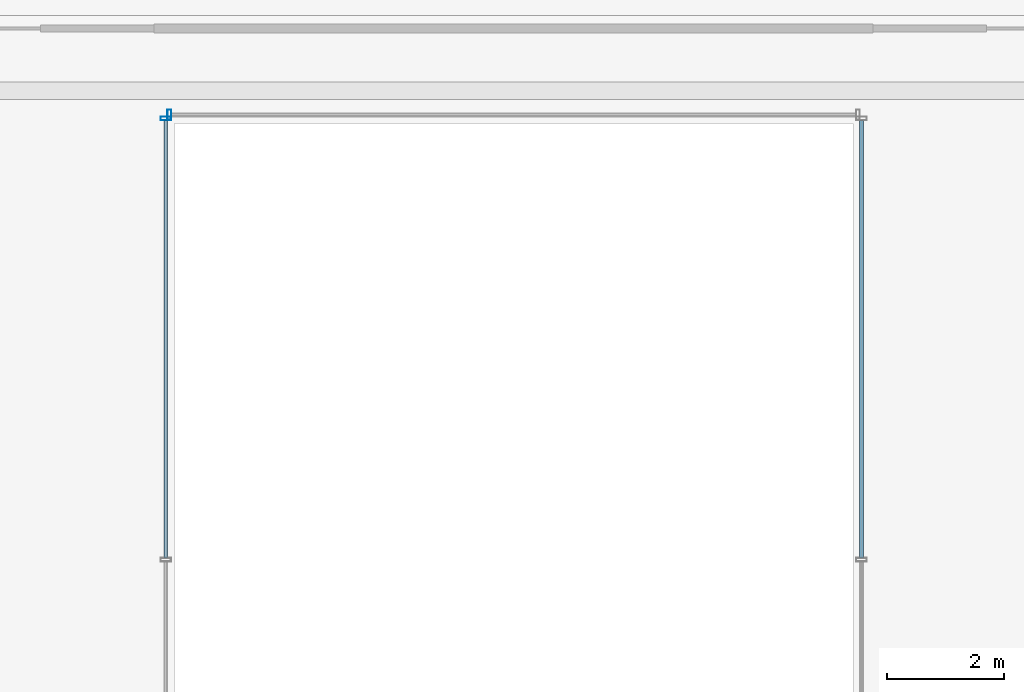
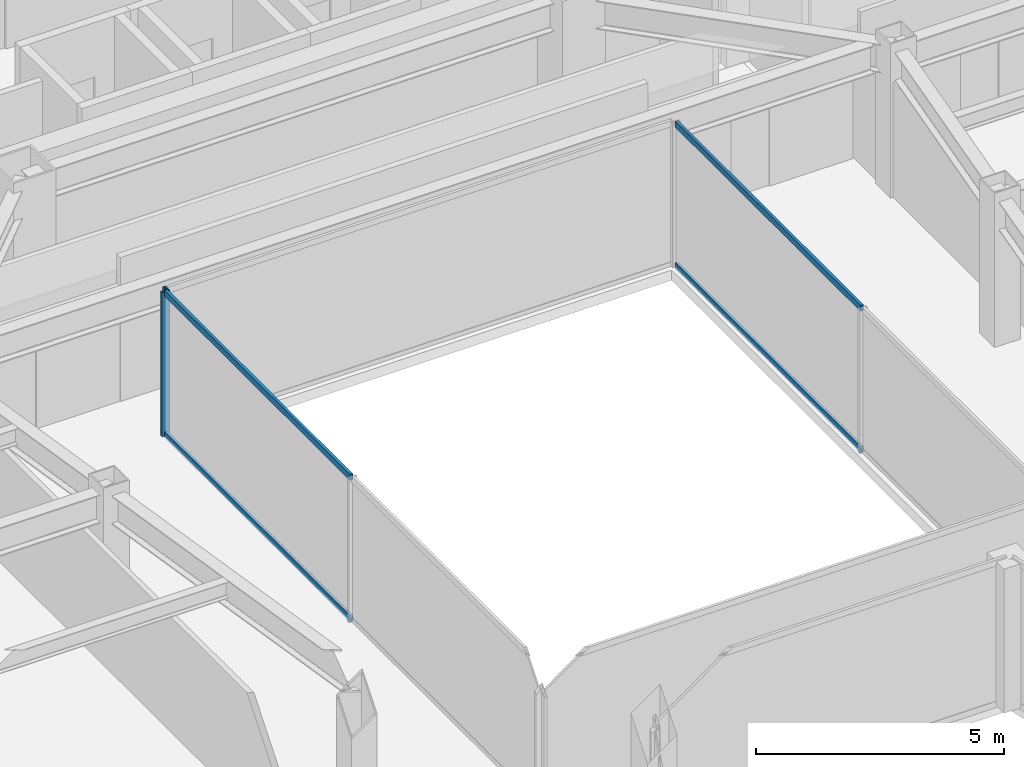
# One storey, part 14 of 40: 6 members, 3 elements without a shape of their own.
"""IFC4 building model written with IfcOpenShell, lengths in metres."""

from ifc_helpers import new_model, si_unit, direction, frame, origin, origin_2d, place, context, subcontext, project, spatial, hollow_rectangle, extrude, material, material_profile, profile_set, type_object, element, aggregate, save


model = new_model("IFC4")

# Units and contexts
model_context = context("Model", 3, precision=1e-05, world=origin(), true_north=direction((0.0, 1.0)))
body_context = subcontext(model_context, "Body", "Model", "MODEL_VIEW")
ifc_project = project(units=[si_unit("LENGTHUNIT", "METRE"), si_unit("AREAUNIT", "SQUARE_METRE"), si_unit("VOLUMEUNIT", "CUBIC_METRE"), si_unit("PLANEANGLEUNIT", "RADIAN"), si_unit("MASSUNIT", "GRAM", prefix="KILO")], contexts=[model_context])

# Site, building, storey
site_placement = place(None, origin())
site = spatial("IfcSite", under=ifc_project, at=site_placement, CompositionType="ELEMENT")
building_placement = place(site_placement, origin())
building = spatial("IfcBuilding", under=site, at=building_placement, Name="Saevonmaru Cultural Tower", CompositionType="ELEMENT")
storey_placement = place(building_placement, frame((0.0, 0.0, 129.60009765625)))
storey = spatial("IfcBuildingStorey", under=building, at=storey_placement, Name="L27", CompositionType="ELEMENT", Elevation=129.60009765625)

# Curtain wall, member
ifc_material = material(Name="Satin Bronze Anodised Aluminium", Category="aluminium")
curtain_wall_type = type_object("IfcCurtainWallType", Name="CW-ATR-GLZ", PredefinedType="NOTDEFINED", material=ifc_material)
curtain_wall_1_placement = place(storey_placement, origin())
curtain_wall_1 = element("IfcCurtainWall", 1, at=curtain_wall_1_placement, inside=storey, type_object=curtain_wall_type, Name="L27 Vertical Atrium Glazed Smoke Screen 3", PredefinedType="NOTDEFINED")
ifc_material_profile_1 = material_profile(ifc_material, hollow_rectangle(XDim=0.06494140625, YDim=0.179931640625, WallThickness=0.00390625, at=origin_2d()), Name="ALU-MULL-180x65x4")
ifc_profile_set_1 = profile_set([ifc_material_profile_1], Name="Satin Bronze Anodised Aluminium")
member_type_1 = type_object("IfcMemberType", Name="ML-CW-INT-180x65", PredefinedType="MULLION", material=ifc_profile_set_1)
member_1_placement = place(storey_placement, frame((24.110107421875, 37.469970703125, 0.0), z_axis=(0.0, 0.0, 1.0), x_axis=(-1.0, 0.0, 0.0)))
member_1 = element("IfcMember", 2, at=member_1_placement, type_object=member_type_1, Name="CW-ATR-L27-3 mullion 2", PredefinedType="MULLION", context=body_context, shape_type="SweptSolid", body=[
    extrude(hollow_rectangle(XDim=0.06494140625, YDim=0.179931640625, WallThickness=0.00390625, at=origin_2d()), origin(), (0.0, 0.0, 1.0), 3.5498046875),
])
aggregate(curtain_wall_1, [member_1])

curtain_wall_2_placement = place(storey_placement, origin())
curtain_wall_2 = element("IfcCurtainWall", 3, at=curtain_wall_2_placement, inside=storey, type_object=curtain_wall_type, Name="L27 Vertical Atrium Glazed Smoke Screen 4", PredefinedType="NOTDEFINED")
member_2_placement = place(storey_placement, frame((24.050048828125, 37.409912109375, 0.0), z_axis=(0.0, 0.0, 1.0), x_axis=(0.0, -1.0, 0.0)))
member_2 = element("IfcMember", 4, at=member_2_placement, type_object=member_type_1, Name="CW-ATR-L27-4 mullion 1", PredefinedType="MULLION", context=body_context, shape_type="SweptSolid", body=[
    extrude(hollow_rectangle(XDim=0.06494140625, YDim=0.179931640625, WallThickness=0.00390625, at=origin_2d()), origin(), (0.0, 0.0, 1.0), 3.5498046875),
])

# Curtain wall, members
curtain_wall_3_placement = place(storey_placement, origin())
curtain_wall_3 = element("IfcCurtainWall", 5, at=curtain_wall_3_placement, inside=storey, type_object=curtain_wall_type, Name="L27 Vertical Atrium Glazed Smoke Screen 2", PredefinedType="NOTDEFINED")
ifc_material_profile_2 = material_profile(ifc_material, hollow_rectangle(XDim=0.06494140625, YDim=0.14990234375, WallThickness=0.00390625, at=origin_2d()), Name="ALU-TRAN-150x65x4")
ifc_profile_set_2 = profile_set([ifc_material_profile_2], Name="Satin Bronze Anodised Aluminium")
member_type_2 = type_object("IfcMemberType", Name="TR-CW-INT-150x65", PredefinedType="USERDEFINED", material=ifc_profile_set_2)
member_3_placement = place(storey_placement, frame((35.949951171875, 29.892578125, 0.032470703125), z_axis=(0.0, 1.0, 0.0), x_axis=(-1.0, 0.0, 0.0)))
member_3 = element("IfcMember", 6, at=member_3_placement, type_object=member_type_2, Name="CW-ATR-L27-2 transom 2.1", ObjectType="TRANSOM", PredefinedType="USERDEFINED", context=body_context, shape_type="SweptSolid", body=[
    extrude(hollow_rectangle(XDim=0.06494140625, YDim=0.14990234375, WallThickness=0.00390625, at=origin_2d()), origin(), (0.0, 0.0, 1.0), 7.48486328125),
])
member_4_placement = place(storey_placement, frame((35.949951171875, 29.892578125, 3.517333984375), z_axis=(0.0, 1.0, 0.0), x_axis=(-1.0, 0.0, 0.0)))
member_4 = element("IfcMember", 7, at=member_4_placement, type_object=member_type_2, Name="CW-ATR-L27-2 transom 2.2", ObjectType="TRANSOM", PredefinedType="USERDEFINED", context=body_context, shape_type="SweptSolid", body=[
    extrude(hollow_rectangle(XDim=0.06494140625, YDim=0.14990234375, WallThickness=0.00390625, at=origin_2d()), origin(), (0.0, 0.0, 1.0), 7.48486328125),
])
aggregate(curtain_wall_3, [member_3, member_4])

# Member
member_5_placement = place(storey_placement, frame((24.050048828125, 37.37744140625, 0.032470703125), z_axis=(0.0, -1.0, 0.0), x_axis=(1.0, 0.0, 0.0)))
member_5 = element("IfcMember", 8, at=member_5_placement, type_object=member_type_2, Name="CW-ATR-L27-4 transom 1.1", ObjectType="TRANSOM", PredefinedType="USERDEFINED", context=body_context, shape_type="SweptSolid", body=[
    extrude(hollow_rectangle(XDim=0.06494140625, YDim=0.14990234375, WallThickness=0.00390625, at=origin_2d()), origin(), (0.0, 0.0, 1.0), 7.48486328125),
])

member_6_placement = place(storey_placement, frame((24.050048828125, 37.37744140625, 3.517333984375), z_axis=(0.0, -1.0, 0.0), x_axis=(1.0, 0.0, 0.0)))
member_6 = element("IfcMember", 9, at=member_6_placement, type_object=member_type_2, Name="CW-ATR-L27-4 transom 1.2", ObjectType="TRANSOM", PredefinedType="USERDEFINED", context=body_context, shape_type="SweptSolid", body=[
    extrude(hollow_rectangle(XDim=0.06494140625, YDim=0.14990234375, WallThickness=0.00390625, at=origin_2d()), origin(), (0.0, 0.0, 1.0), 7.48486328125),
])

aggregate(curtain_wall_2, [member_2, member_5, member_6])

save(model, "model.ifc")
